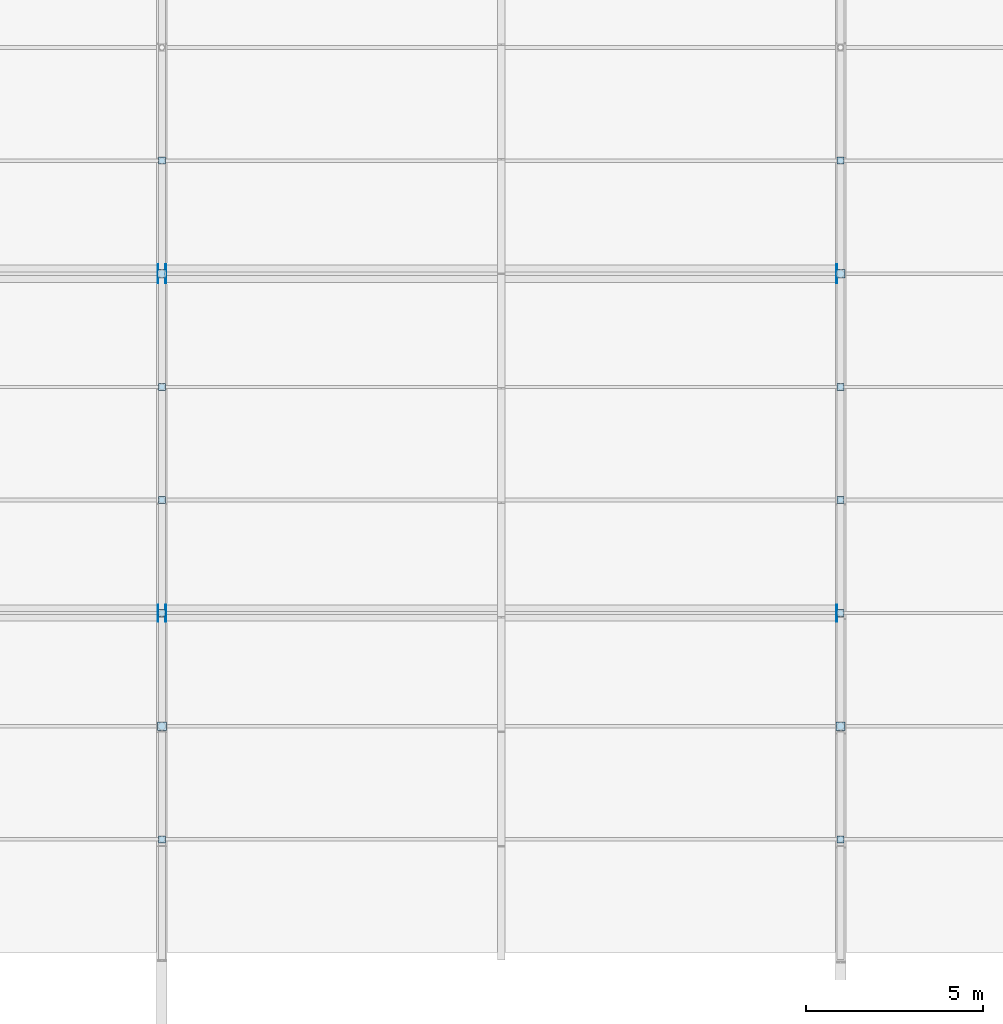
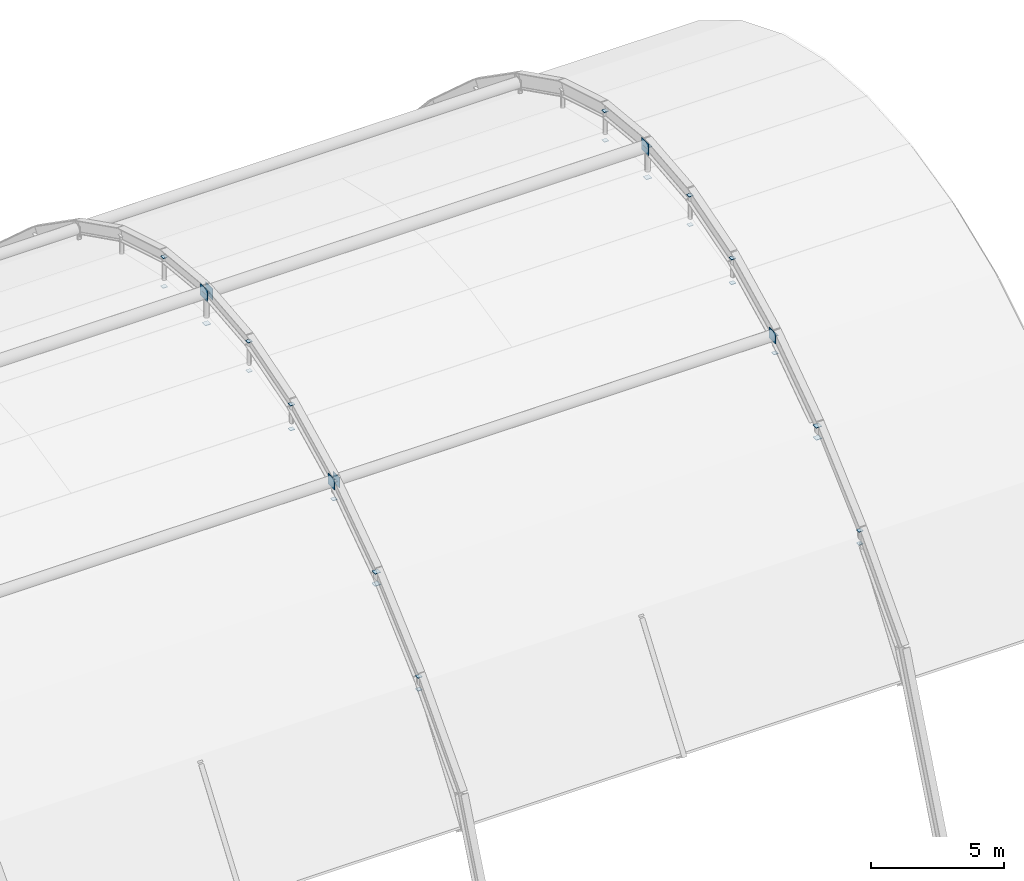
# One storey, part 113 of 126: 34 plates.
"""IFC4 building model written with IfcOpenShell, lengths in metres."""

from ifc_helpers import new_model, si_unit, direction, frame, origin, origin_2d, place, context, subcontext, project, spatial, rectangle, extrude, material, layer, layer_set, type_object, element, save


model = new_model("IFC4")

# Units and contexts
model_context = context("Model", 3, precision=1e-05, world=origin(), true_north=direction((0.0, 1.0)))
body_context = subcontext(model_context, "Body", "Model", "MODEL_VIEW")
ifc_project = project(units=[si_unit("LENGTHUNIT", "METRE"), si_unit("AREAUNIT", "SQUARE_METRE"), si_unit("VOLUMEUNIT", "CUBIC_METRE"), si_unit("PLANEANGLEUNIT", "RADIAN"), si_unit("MASSUNIT", "GRAM", prefix="KILO")], contexts=[model_context])

# Site, building, storey
site_placement = place(None, origin())
site = spatial("IfcSite", under=ifc_project, at=site_placement, CompositionType="ELEMENT")
building_placement = place(site_placement, origin())
building = spatial("IfcBuilding", under=site, at=building_placement, Name="Coralgate Yard Interchange", CompositionType="ELEMENT")
storey_placement = place(building_placement, frame((0.0, 0.0, 10.5)))
storey = spatial("IfcBuildingStorey", under=building, at=storey_placement, Name="L02", CompositionType="ELEMENT", Elevation=10.5)

# Plates
ifc_material = material(Name="Yellow-ochre weather-coated structural steel S355J2", Category="steel")
ifc_layer = layer(ifc_material, 0.02392578125)
ifc_layer_set = layer_set([ifc_layer], Name="Yellow-ochre weather-coated structural steel S355J2")
plate_type = type_object("IfcPlateType", Name="PLT-EP-24", PredefinedType="USERDEFINED", material=ifc_layer_set)
for number, where, z_axis, x_axis, name in (
    (1, (105.60009765625, 41.60009765625, 5.11181640625), (0.0, 0.0, 1.0), (1.0, 0.0, 0.0), "Steel hollow section end cap plate CAP-HGR-4-01-T"),
    (2, (105.60009765625, 41.60009765625, 4.5380859375), (0.0, 0.0, -1.0), (1.0, 0.0, 0.0), "Steel hollow section end cap plate CAP-HGR-4-01-B"),
):
    element("IfcPlate", number, at=place(storey_placement, frame(where, z_axis=z_axis, x_axis=x_axis)), inside=storey, type_object=plate_type, Name=name, ObjectType="CAP PLATE", PredefinedType="USERDEFINED", context=body_context, shape_type="SweptSolid", body=[
        extrude(rectangle(XDim=0.197998046875, YDim=0.197998046875, at=origin_2d()), origin(), (0.0, 0.0, 1.0), 0.02392578125),
    ])
for number, where, z_axis, x_axis, name in (
    (3, (105.60009765625, 44.800048828125, 7.98681640625), (0.0, 0.0, 1.0), (1.0, 0.0, 0.0), "Steel hollow section end cap plate CAP-HGR-4-02-T"),
    (4, (105.60009765625, 44.800048828125, 7.451171875), (0.0, 0.0, -1.0), (1.0, 0.0, 0.0), "Steel hollow section end cap plate CAP-HGR-4-02-B"),
):
    element("IfcPlate", number, at=place(storey_placement, frame(where, z_axis=z_axis, x_axis=x_axis)), inside=storey, type_object=plate_type, Name=name, ObjectType="CAP PLATE", PredefinedType="USERDEFINED", context=body_context, shape_type="SweptSolid", body=[
        extrude(rectangle(XDim=0.2490234375, YDim=0.2490234375, at=origin_2d()), origin(), (0.0, 0.0, 1.0), 0.02392578125),
    ])
for number, where, z_axis, x_axis, name in (
    (5, (105.60009765625, 48.0, 10.22314453125), (0.0, 0.0, 1.0), (1.0, 0.0, 0.0), "Steel hollow section end cap plate CAP-HGR-4-03-T"),
    (6, (105.60009765625, 48.0, 9.41455078125), (0.0, 0.0, -1.0), (1.0, 0.0, 0.0), "Steel hollow section end cap plate CAP-HGR-4-03-B"),
    (7, (105.60009765625, 51.199951171875, 11.8203125), (0.0, 0.0, 1.0), (1.0, 0.0, 0.0), "Steel hollow section end cap plate CAP-HGR-4-04-T"),
    (8, (105.60009765625, 51.199951171875, 10.7021484375), (0.0, 0.0, -1.0), (1.0, 0.0, 0.0), "Steel hollow section end cap plate CAP-HGR-4-04-B"),
    (9, (105.60009765625, 54.39990234375, 12.778564453125), (0.0, 0.0, 1.0), (1.0, 0.0, 0.0), "Steel hollow section end cap plate CAP-HGR-4-05-T"),
    (10, (105.60009765625, 54.39990234375, 11.437255859375), (0.0, 0.0, -1.0), (1.0, 0.0, 0.0), "Steel hollow section end cap plate CAP-HGR-4-05-B"),
):
    element("IfcPlate", number, at=place(storey_placement, frame(where, z_axis=z_axis, x_axis=x_axis)), inside=storey, type_object=plate_type, Name=name, ObjectType="CAP PLATE", PredefinedType="USERDEFINED", context=body_context, shape_type="SweptSolid", body=[
        extrude(rectangle(XDim=0.197998046875, YDim=0.197998046875, at=origin_2d()), origin(), (0.0, 0.0, 1.0), 0.02392578125),
    ])
for number, where, z_axis, x_axis, name in (
    (11, (105.60009765625, 57.60009765625, 13.09814453125), (0.0, 0.0, 1.0), (1.0, 0.0, 0.0), "Steel hollow section end cap plate CAP-HGR-4-06-T"),
    (12, (105.60009765625, 57.60009765625, 11.6767578125), (0.0, 0.0, -1.0), (1.0, 0.0, 0.0), "Steel hollow section end cap plate CAP-HGR-4-06-B"),
):
    element("IfcPlate", number, at=place(storey_placement, frame(where, z_axis=z_axis, x_axis=x_axis)), inside=storey, type_object=plate_type, Name=name, ObjectType="CAP PLATE", PredefinedType="USERDEFINED", context=body_context, shape_type="SweptSolid", body=[
        extrude(rectangle(XDim=0.2490234375, YDim=0.2490234375, at=origin_2d()), origin(), (0.0, 0.0, 1.0), 0.02392578125),
    ])
for number, where, z_axis, x_axis, name in (
    (13, (105.60009765625, 60.800048828125, 12.778564453125), (0.0, 0.0, 1.0), (1.0, 0.0, 0.0), "Steel hollow section end cap plate CAP-HGR-4-07-T"),
    (14, (105.60009765625, 60.800048828125, 11.437255859375), (0.0, 0.0, -1.0), (1.0, 0.0, 0.0), "Steel hollow section end cap plate CAP-HGR-4-07-B"),
    (15, (124.800048828125, 41.60009765625, 5.11181640625), (0.0, 0.0, 1.0), (1.0, 0.0, 0.0), "Steel hollow section end cap plate CAP-HGR-5-01-T"),
    (16, (124.800048828125, 41.60009765625, 4.5380859375), (0.0, 0.0, -1.0), (1.0, 0.0, 0.0), "Steel hollow section end cap plate CAP-HGR-5-01-B"),
):
    element("IfcPlate", number, at=place(storey_placement, frame(where, z_axis=z_axis, x_axis=x_axis)), inside=storey, type_object=plate_type, Name=name, ObjectType="CAP PLATE", PredefinedType="USERDEFINED", context=body_context, shape_type="SweptSolid", body=[
        extrude(rectangle(XDim=0.197998046875, YDim=0.197998046875, at=origin_2d()), origin(), (0.0, 0.0, 1.0), 0.02392578125),
    ])
for number, where, z_axis, x_axis, name in (
    (17, (124.800048828125, 44.800048828125, 7.98681640625), (0.0, 0.0, 1.0), (1.0, 0.0, 0.0), "Steel hollow section end cap plate CAP-HGR-5-02-T"),
    (18, (124.800048828125, 44.800048828125, 7.451171875), (0.0, 0.0, -1.0), (1.0, 0.0, 0.0), "Steel hollow section end cap plate CAP-HGR-5-02-B"),
):
    element("IfcPlate", number, at=place(storey_placement, frame(where, z_axis=z_axis, x_axis=x_axis)), inside=storey, type_object=plate_type, Name=name, ObjectType="CAP PLATE", PredefinedType="USERDEFINED", context=body_context, shape_type="SweptSolid", body=[
        extrude(rectangle(XDim=0.2490234375, YDim=0.2490234375, at=origin_2d()), origin(), (0.0, 0.0, 1.0), 0.02392578125),
    ])
for number, where, z_axis, x_axis, name in (
    (19, (124.800048828125, 48.0, 10.22314453125), (0.0, 0.0, 1.0), (1.0, 0.0, 0.0), "Steel hollow section end cap plate CAP-HGR-5-03-T"),
    (20, (124.800048828125, 48.0, 9.41455078125), (0.0, 0.0, -1.0), (1.0, 0.0, 0.0), "Steel hollow section end cap plate CAP-HGR-5-03-B"),
    (21, (124.800048828125, 51.199951171875, 11.8203125), (0.0, 0.0, 1.0), (1.0, 0.0, 0.0), "Steel hollow section end cap plate CAP-HGR-5-04-T"),
    (22, (124.800048828125, 51.199951171875, 10.7021484375), (0.0, 0.0, -1.0), (1.0, 0.0, 0.0), "Steel hollow section end cap plate CAP-HGR-5-04-B"),
    (23, (124.800048828125, 54.39990234375, 12.778564453125), (0.0, 0.0, 1.0), (1.0, 0.0, 0.0), "Steel hollow section end cap plate CAP-HGR-5-05-T"),
    (24, (124.800048828125, 54.39990234375, 11.437255859375), (0.0, 0.0, -1.0), (1.0, 0.0, 0.0), "Steel hollow section end cap plate CAP-HGR-5-05-B"),
):
    element("IfcPlate", number, at=place(storey_placement, frame(where, z_axis=z_axis, x_axis=x_axis)), inside=storey, type_object=plate_type, Name=name, ObjectType="CAP PLATE", PredefinedType="USERDEFINED", context=body_context, shape_type="SweptSolid", body=[
        extrude(rectangle(XDim=0.197998046875, YDim=0.197998046875, at=origin_2d()), origin(), (0.0, 0.0, 1.0), 0.02392578125),
    ])
for number, where, z_axis, x_axis, name in (
    (25, (124.800048828125, 57.60009765625, 13.09814453125), (0.0, 0.0, 1.0), (1.0, 0.0, 0.0), "Steel hollow section end cap plate CAP-HGR-5-06-T"),
    (26, (124.800048828125, 57.60009765625, 11.6767578125), (0.0, 0.0, -1.0), (1.0, 0.0, 0.0), "Steel hollow section end cap plate CAP-HGR-5-06-B"),
):
    element("IfcPlate", number, at=place(storey_placement, frame(where, z_axis=z_axis, x_axis=x_axis)), inside=storey, type_object=plate_type, Name=name, ObjectType="CAP PLATE", PredefinedType="USERDEFINED", context=body_context, shape_type="SweptSolid", body=[
        extrude(rectangle(XDim=0.2490234375, YDim=0.2490234375, at=origin_2d()), origin(), (0.0, 0.0, 1.0), 0.02392578125),
    ])
for number, where, z_axis, x_axis, name in (
    (27, (124.800048828125, 60.800048828125, 12.778564453125), (0.0, 0.0, 1.0), (1.0, 0.0, 0.0), "Steel hollow section end cap plate CAP-HGR-5-07-T"),
    (28, (124.800048828125, 60.800048828125, 11.437255859375), (0.0, 0.0, -1.0), (1.0, 0.0, 0.0), "Steel hollow section end cap plate CAP-HGR-5-07-B"),
):
    element("IfcPlate", number, at=place(storey_placement, frame(where, z_axis=z_axis, x_axis=x_axis)), inside=storey, type_object=plate_type, Name=name, ObjectType="CAP PLATE", PredefinedType="USERDEFINED", context=body_context, shape_type="SweptSolid", body=[
        extrude(rectangle(XDim=0.197998046875, YDim=0.197998046875, at=origin_2d()), origin(), (0.0, 0.0, 1.0), 0.02392578125),
    ])
plate_1_placement = place(storey_placement, frame((105.47802734375, 57.60009765625, 13.1201171875), z_axis=(1.0, 0.0, 0.0), x_axis=(0.0, 1.0, 0.0)))
element("IfcPlate", 29, at=plate_1_placement, inside=storey, type_object=plate_type, Name="Steel hollow section end cap plate CAP-ATIE-3-C-1", ObjectType="CAP PLATE", PredefinedType="USERDEFINED", context=body_context, shape_type="SweptSolid", body=[
    extrude(rectangle(XDim=0.5380859375, YDim=0.5380859375, at=origin_2d()), origin(), (0.0, 0.0, 1.0), 0.02392578125),
])
plate_2_placement = place(storey_placement, frame((105.47802734375, 48.0, 10.25), z_axis=(1.0, 0.0, 0.0), x_axis=(0.0, 1.0, 0.0)))
element("IfcPlate", 30, at=plate_2_placement, inside=storey, type_object=plate_type, Name="Steel hollow section end cap plate CAP-ATIE-3-S-1", ObjectType="CAP PLATE", PredefinedType="USERDEFINED", context=body_context, shape_type="SweptSolid", body=[
    extrude(rectangle(XDim=0.487060546875, YDim=0.487060546875, at=origin_2d()), origin(), (0.0, 0.0, 1.0), 0.02392578125),
])
for number, where, z_axis, x_axis, name in (
    (31, (105.721923828125, 57.60009765625, 13.1201171875), (-1.0, 0.0, 0.0), (0.0, -1.0, 0.0), "Steel hollow section end cap plate CAP-ATIE-4-C-0"),
    (32, (124.677978515625, 57.60009765625, 13.1201171875), (1.0, 0.0, 0.0), (0.0, 1.0, 0.0), "Steel hollow section end cap plate CAP-ATIE-4-C-1"),
):
    element("IfcPlate", number, at=place(storey_placement, frame(where, z_axis=z_axis, x_axis=x_axis)), inside=storey, type_object=plate_type, Name=name, ObjectType="CAP PLATE", PredefinedType="USERDEFINED", context=body_context, shape_type="SweptSolid", body=[
        extrude(rectangle(XDim=0.5380859375, YDim=0.5380859375, at=origin_2d()), origin(), (0.0, 0.0, 1.0), 0.02392578125),
    ])
for number, where, z_axis, x_axis, name in (
    (33, (105.721923828125, 48.0, 10.25), (-1.0, 0.0, 0.0), (0.0, -1.0, 0.0), "Steel hollow section end cap plate CAP-ATIE-4-S-0"),
    (34, (124.677978515625, 48.0, 10.25), (1.0, 0.0, 0.0), (0.0, 1.0, 0.0), "Steel hollow section end cap plate CAP-ATIE-4-S-1"),
):
    element("IfcPlate", number, at=place(storey_placement, frame(where, z_axis=z_axis, x_axis=x_axis)), inside=storey, type_object=plate_type, Name=name, ObjectType="CAP PLATE", PredefinedType="USERDEFINED", context=body_context, shape_type="SweptSolid", body=[
        extrude(rectangle(XDim=0.487060546875, YDim=0.487060546875, at=origin_2d()), origin(), (0.0, 0.0, 1.0), 0.02392578125),
    ])

save(model, "model.ifc")
